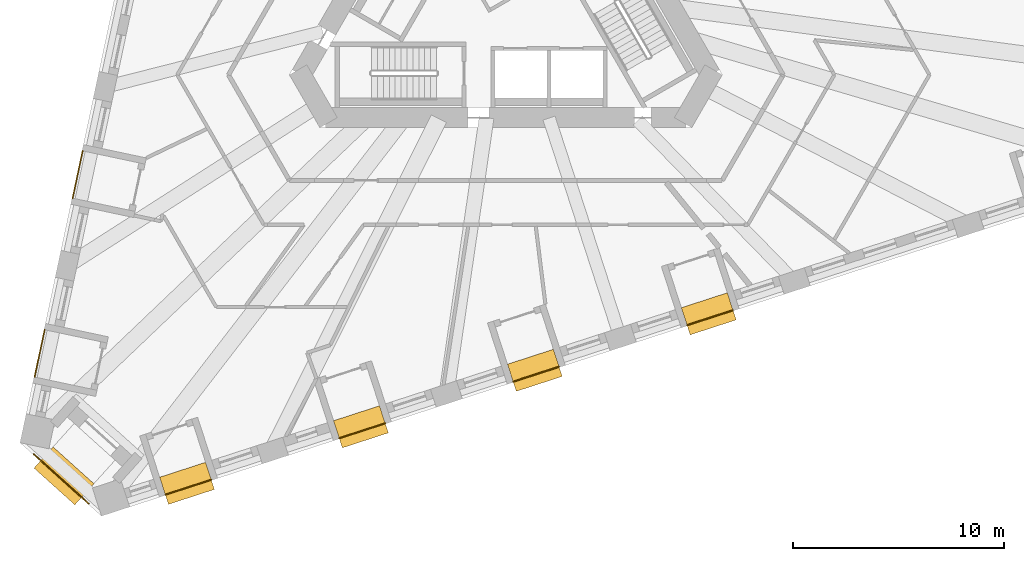
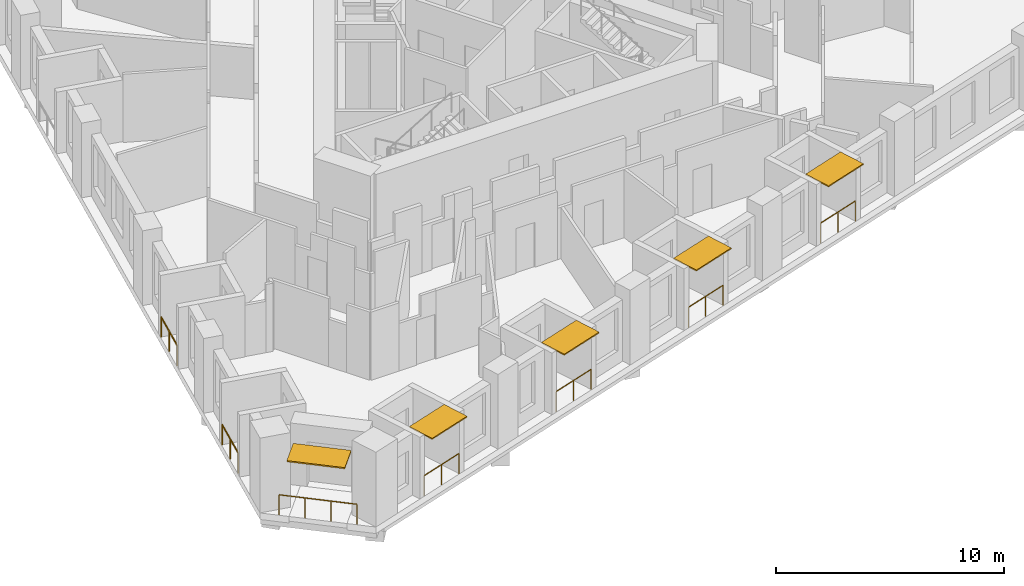
# One storey, part 11 of 13: 7 railings, 5 shading devices.
"""IFC4 building model written with IfcOpenShell, lengths in metres."""

from ifc_helpers import new_model, si_unit, direction, frame, origin, origin_2d, place, context, subcontext, project, spatial, rectangle, circle, extrude, material, layer, layer_set, type_object, element, save


model = new_model("IFC4")

# Units and contexts
model_context = context("Model", 3, precision=1e-05, world=origin(), true_north=direction((0.0, 1.0)))
body_context = subcontext(model_context, "Body", "Model", "MODEL_VIEW")
ifc_project = project(units=[si_unit("LENGTHUNIT", "METRE"), si_unit("AREAUNIT", "SQUARE_METRE"), si_unit("VOLUMEUNIT", "CUBIC_METRE"), si_unit("PLANEANGLEUNIT", "RADIAN"), si_unit("MASSUNIT", "GRAM", prefix="KILO")], contexts=[model_context])

# Site, building, storey
site_placement = place(None, origin())
site = spatial("IfcSite", under=ifc_project, at=site_placement, CompositionType="ELEMENT")
building_placement = place(site_placement, origin())
building = spatial("IfcBuilding", under=site, at=building_placement, Name="Tramontana Tower", CompositionType="ELEMENT")
storey_placement = place(building_placement, frame((0.0, 0.0, 116.39990234375)))
storey = spatial("IfcBuildingStorey", under=building, at=storey_placement, Name="L26", CompositionType="ELEMENT", Elevation=116.39990234375)

# Railings
ifc_material_1 = material(Name="Laminated glass balustrade", Category="glass")
railing_type = type_object("IfcRailingType", Name="GD1 Loggia glass balustrade 1100", PredefinedType="BALUSTRADE", material=ifc_material_1)
railing_1_placement = place(storey_placement, frame((-20.04052734375, -7.85205078125, 0.0)))
element("IfcRailing", 1, at=railing_1_placement, inside=storey, type_object=railing_type, Name="Loggia balustrade L26 G2S0.13", PredefinedType="BALUSTRADE", context=body_context, shape_type="SweptSolid", body=[
    extrude(circle(Radius=0.02392578125, at=origin_2d()), frame((0.0, 0.0, 1.076171875), z_axis=(-0.207888126836, -0.978152609116, 0.0), x_axis=(0.978152609116, -0.207888126836, 0.0)), (0.0, 0.0, 1.0), 2.28662109375),
    extrude(circle(Radius=0.02099609375, at=origin_2d()), origin(), (0.0, 0.0, 1.0), 1.052001953125),
    extrude(circle(Radius=0.02099609375, at=origin_2d()), frame((-0.23779296875, -1.1181640625, 0.0)), (0.0, 0.0, 1.0), 1.052001953125),
    extrude(circle(Radius=0.02099609375, at=origin_2d()), frame((-0.475341796875, -2.236572265625, 0.0)), (0.0, 0.0, 1.0), 1.052001953125),
])
railing_2_placement = place(storey_placement, frame((-21.841064453125, -16.322998046875, 0.0)))
element("IfcRailing", 2, at=railing_2_placement, inside=storey, type_object=railing_type, Name="Loggia balustrade L26 G2S0.16", PredefinedType="BALUSTRADE", context=body_context, shape_type="SweptSolid", body=[
    extrude(circle(Radius=0.02392578125, at=origin_2d()), frame((0.0, 0.0, 1.076171875), z_axis=(-0.207866417042, -0.978157222877, 0.0), x_axis=(0.978157222877, -0.207866417042, 0.0)), (0.0, 0.0, 1.0), 2.286865234375),
    extrude(circle(Radius=0.02099609375, at=origin_2d()), origin(), (0.0, 0.0, 1.0), 1.052001953125),
    extrude(circle(Radius=0.02099609375, at=origin_2d()), frame((-0.23779296875, -1.118408203125, 0.0)), (0.0, 0.0, 1.0), 1.052001953125),
    extrude(circle(Radius=0.02099609375, at=origin_2d()), frame((-0.475341796875, -2.23681640625, 0.0)), (0.0, 0.0, 1.0), 1.052001953125),
])
railing_3_placement = place(storey_placement, frame((-16.125244140625, -24.13427734375, 0.0)))
element("IfcRailing", 3, at=railing_3_placement, inside=storey, type_object=railing_type, Name="Loggia balustrade L26 G2S1.1", PredefinedType="BALUSTRADE", context=body_context, shape_type="SweptSolid", body=[
    extrude(circle(Radius=0.02392578125, at=origin_2d()), frame((0.0, 0.0, 1.076171875), z_axis=(0.95103720697, 0.309076416051, 0.0), x_axis=(-0.309076416051, 0.95103720697, 0.0)), (0.0, 0.0, 1.0), 2.286865234375),
    extrude(circle(Radius=0.02099609375, at=origin_2d()), origin(), (0.0, 0.0, 1.0), 1.052001953125),
    extrude(circle(Radius=0.02099609375, at=origin_2d()), frame((1.08740234375, 0.353515625, 0.0)), (0.0, 0.0, 1.0), 1.052001953125),
    extrude(circle(Radius=0.02099609375, at=origin_2d()), frame((2.1748046875, 0.706787109375, 0.0)), (0.0, 0.0, 1.0), 1.052001953125),
])
railing_4_placement = place(storey_placement, frame((-7.888916015625, -21.4580078125, 0.0)))
element("IfcRailing", 4, at=railing_4_placement, inside=storey, type_object=railing_type, Name="Loggia balustrade L26 G2S1.4", PredefinedType="BALUSTRADE", context=body_context, shape_type="SweptSolid", body=[
    extrude(circle(Radius=0.02392578125, at=origin_2d()), frame((0.0, 0.0, 1.076171875), z_axis=(0.951068585107, 0.308979847923, 0.0), x_axis=(-0.308979847923, 0.951068585107, 0.0)), (0.0, 0.0, 1.0), 2.28662109375),
    extrude(circle(Radius=0.02099609375, at=origin_2d()), origin(), (0.0, 0.0, 1.0), 1.052001953125),
    extrude(circle(Radius=0.02099609375, at=origin_2d()), frame((1.08740234375, 0.353271484375, 0.0)), (0.0, 0.0, 1.0), 1.052001953125),
    extrude(circle(Radius=0.02099609375, at=origin_2d()), frame((2.1748046875, 0.70654296875, 0.0)), (0.0, 0.0, 1.0), 1.052001953125),
])
railing_5_placement = place(storey_placement, frame((0.347412109375, -18.781982421875, 0.0)))
element("IfcRailing", 5, at=railing_5_placement, inside=storey, type_object=railing_type, Name="Loggia balustrade L26 G2S1.7", PredefinedType="BALUSTRADE", context=body_context, shape_type="SweptSolid", body=[
    extrude(circle(Radius=0.02392578125, at=origin_2d()), frame((0.0, 0.0, 1.076171875), z_axis=(0.95103720697, 0.309076416051, 0.0), x_axis=(-0.309076416051, 0.95103720697, 0.0)), (0.0, 0.0, 1.0), 2.286865234375),
    extrude(circle(Radius=0.02099609375, at=origin_2d()), origin(), (0.0, 0.0, 1.0), 1.052001953125),
    extrude(circle(Radius=0.02099609375, at=origin_2d()), frame((1.08740234375, 0.353515625, 0.0)), (0.0, 0.0, 1.0), 1.052001953125),
    extrude(circle(Radius=0.02099609375, at=origin_2d()), frame((2.1748046875, 0.706787109375, 0.0)), (0.0, 0.0, 1.0), 1.052001953125),
])
railing_6_placement = place(storey_placement, frame((8.583740234375, -16.105712890625, 0.0)))
element("IfcRailing", 6, at=railing_6_placement, inside=storey, type_object=railing_type, Name="Loggia balustrade L26 G2S1.10", PredefinedType="BALUSTRADE", context=body_context, shape_type="SweptSolid", body=[
    extrude(circle(Radius=0.02392578125, at=origin_2d()), frame((0.0, 0.0, 1.076171875), z_axis=(0.951068585107, 0.308979847923, 0.0), x_axis=(-0.308979847923, 0.951068585107, 0.0)), (0.0, 0.0, 1.0), 2.28662109375),
    extrude(circle(Radius=0.02099609375, at=origin_2d()), origin(), (0.0, 0.0, 1.0), 1.052001953125),
    extrude(circle(Radius=0.02099609375, at=origin_2d()), frame((1.08740234375, 0.353271484375, 0.0)), (0.0, 0.0, 1.0), 1.052001953125),
    extrude(circle(Radius=0.02099609375, at=origin_2d()), frame((2.1748046875, 0.70654296875, 0.0)), (0.0, 0.0, 1.0), 1.052001953125),
])
railing_7_placement = place(storey_placement, frame((-19.757080078125, -24.557861328125, 0.0)))
element("IfcRailing", 7, at=railing_7_placement, inside=storey, type_object=railing_type, Name="Corner loggia balustrade L26 K21", PredefinedType="BALUSTRADE", context=body_context, shape_type="SweptSolid", body=[
    extrude(circle(Radius=0.02392578125, at=origin_2d()), frame((0.0, 0.0, 1.076171875), z_axis=(-0.743141519559, 0.669134277936, 0.0), x_axis=(-0.669134277936, -0.743141519559, 0.0)), (0.0, 0.0, 1.0), 3.5),
    extrude(circle(Radius=0.02099609375, at=origin_2d()), origin(), (0.0, 0.0, 1.0), 1.052001953125),
    extrude(circle(Radius=0.02099609375, at=origin_2d()), frame((-0.866943359375, 0.78076171875, 0.0)), (0.0, 0.0, 1.0), 1.052001953125),
    extrude(circle(Radius=0.02099609375, at=origin_2d()), frame((-1.734130859375, 1.561279296875, 0.0)), (0.0, 0.0, 1.0), 1.052001953125),
    extrude(circle(Radius=0.02099609375, at=origin_2d()), frame((-2.60107421875, 2.342041015625, 0.0)), (0.0, 0.0, 1.0), 1.052001953125),
])

# Shading devices
ifc_material_2 = material(Name="Precast concrete 60 MPa", Category="concrete")
ifc_layer_1 = layer(ifc_material_2, 0.06005859375)
ifc_layer_set_1 = layer_set([ifc_layer_1], Name="SS1 Stone sunshade blade 60")
shading_device_type_1 = type_object("IfcShadingDeviceType", Name="SS1 Stone sunshade blade 60", PredefinedType="USERDEFINED", material=ifc_layer_set_1)
for number, where, z_axis, x_axis, name in (
    (8, (-15.09814453125, -23.595458984375, 3.239990234375), (0.0, 0.0, 1.0), (0.951056516295, 0.309016994375, 0.0), "Sunshade L26 G2S1.1"),
    (9, (-6.86181640625, -20.919189453125, 3.239990234375), (0.0, 0.0, 1.0), (0.951056516295, 0.309016994375, 0.0), "Sunshade L26 G2S1.4"),
    (10, (1.37451171875, -18.2431640625, 3.239990234375), (0.0, 0.0, 1.0), (0.951056516295, 0.309016994375, 0.0), "Sunshade L26 G2S1.7"),
    (11, (9.611083984375, -15.56689453125, 3.239990234375), (0.0, 0.0, 1.0), (0.951056516295, 0.309016994375, 0.0), "Sunshade L26 G2S1.10"),
):
    element("IfcShadingDevice", number, at=place(storey_placement, frame(where, z_axis=z_axis, x_axis=x_axis)), inside=storey, type_object=shading_device_type_1, Name=name, ObjectType="SUNSHADE", PredefinedType="USERDEFINED", context=body_context, shape_type="SweptSolid", body=[
        extrude(rectangle(XDim=2.286865234375, YDim=1.35009765625, at=origin_2d()), origin(), (0.0, 0.0, 1.0), 0.06005859375),
    ])
ifc_material_3 = material(Name="Precast concrete 60 MPa", Category="concrete")
ifc_layer_2 = layer(ifc_material_3, 0.070068359375)
ifc_layer_set_2 = layer_set([ifc_layer_2], Name="SS2 Stone sunshade blade 70")
shading_device_type_2 = type_object("IfcShadingDeviceType", Name="SS2 Stone sunshade blade 70", PredefinedType="USERDEFINED", material=ifc_layer_set_2)
shading_device_placement = place(storey_placement, frame((-20.927001953125, -23.241943359375, 3.22998046875), z_axis=(0.0, 0.0, 1.0), x_axis=(-0.743144825477, 0.669130606359, 0.0)))
element("IfcShadingDevice", 12, at=shading_device_placement, inside=storey, type_object=shading_device_type_2, Name="Corner sunshade L26 K21", ObjectType="SUNSHADE", PredefinedType="USERDEFINED", context=body_context, shape_type="SweptSolid", body=[
    extrude(rectangle(XDim=2.60009765625, YDim=1.35009765625, at=origin_2d()), origin(), (0.0, 0.0, 1.0), 0.070068359375),
])

save(model, "model.ifc")
